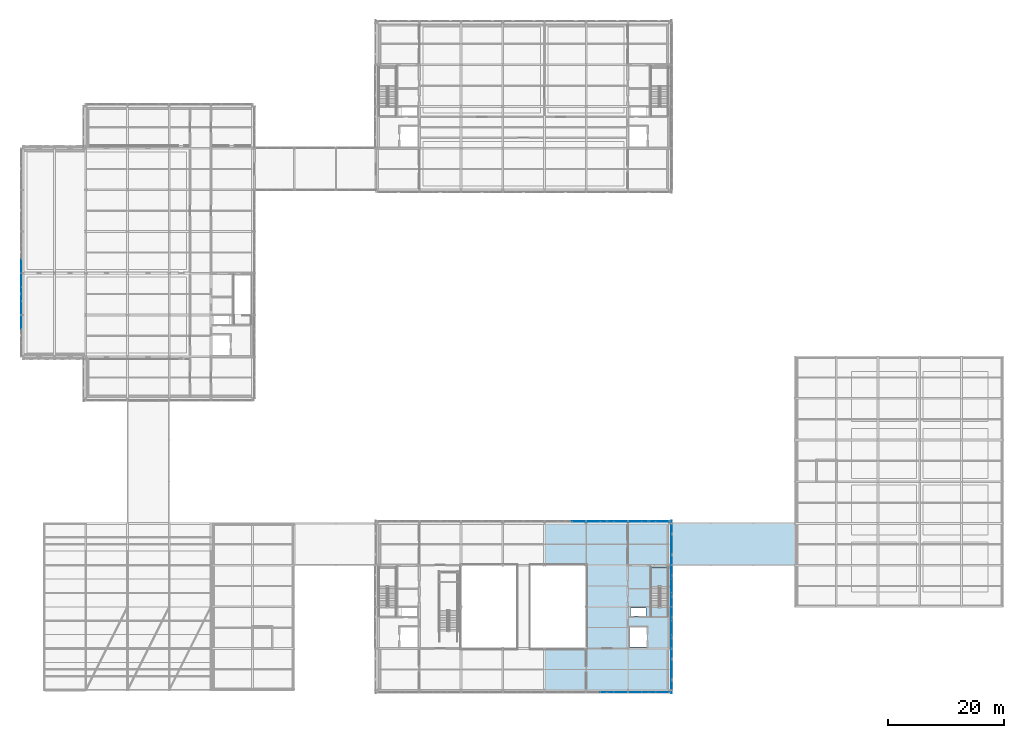
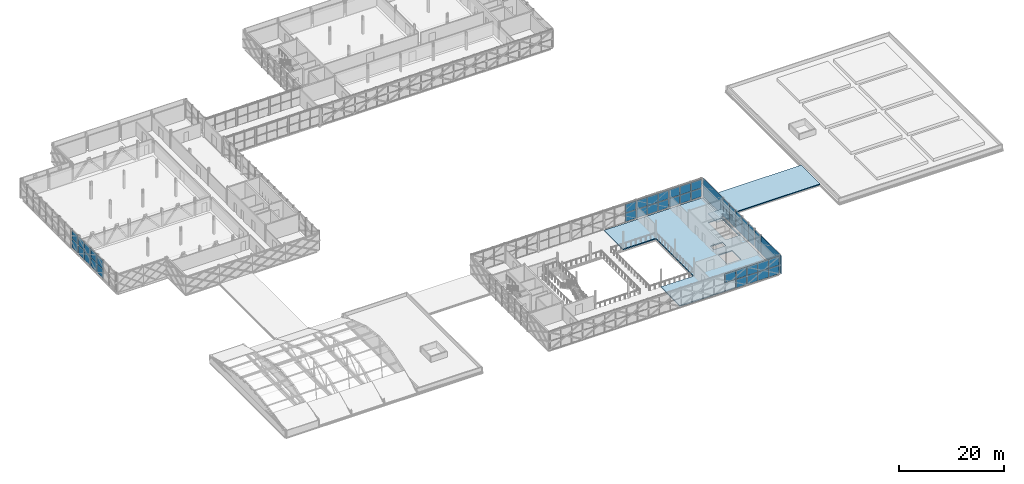
# One storey, part 68 of 103: 47 plates, 3 slabs, 11 elements without a shape of their own.
"""IFC4 building model written with IfcOpenShell, lengths in metres."""

from ifc_helpers import new_model, si_unit, direction, frame, origin, origin_2d, place, context, subcontext, project, spatial, polyline, rectangle, outline, extrude, material, layer, layer_set, type_object, element, aggregate, save


model = new_model("IFC4")

# Units and contexts
model_context = context("Model", 3, precision=1e-05, world=origin(), true_north=direction((0.0, 1.0)))
body_context = subcontext(model_context, "Body", "Model", "MODEL_VIEW")
ifc_project = project(units=[si_unit("LENGTHUNIT", "METRE"), si_unit("AREAUNIT", "SQUARE_METRE"), si_unit("VOLUMEUNIT", "CUBIC_METRE"), si_unit("PLANEANGLEUNIT", "RADIAN"), si_unit("MASSUNIT", "GRAM", prefix="KILO")], contexts=[model_context])

# Site, building, storey
site_placement = place(None, origin())
site = spatial("IfcSite", under=ifc_project, at=site_placement, CompositionType="ELEMENT")
building_placement = place(site_placement, origin())
building = spatial("IfcBuilding", under=site, at=building_placement, Name="Zlatovets Crest Museum", CompositionType="ELEMENT")
storey_placement = place(building_placement, frame((0.0, 0.0, 12.89990234375)))
storey = spatial("IfcBuildingStorey", under=building, at=storey_placement, Name="L03", CompositionType="ELEMENT", Elevation=12.89990234375)

# Curtain wall, plates
ifc_material_1 = material(Name="Bronze-anodised aluminium and low-E triple glass", Category="aluminium")
curtain_wall_type_1 = type_object("IfcCurtainWallType", Name="CW_CW-V2-L03-M0", PredefinedType="NOTDEFINED", material=ifc_material_1)
curtain_wall_1_placement = place(storey_placement, origin())
curtain_wall_1 = element("IfcCurtainWall", 1, at=curtain_wall_1_placement, inside=storey, type_object=curtain_wall_type_1, Name="V2 L03 Expressed Core Glazed Facade", PredefinedType="NOTDEFINED")
ifc_material_2 = material(Name="Solar-control low-E laminated triple glass", Category="glass")
ifc_layer_1 = layer(ifc_material_2, 0.028076171875)
ifc_layer_set_1 = layer_set([ifc_layer_1], Name="Solar-control low-E laminated triple glass")
plate_type_1 = type_object("IfcPlateType", Name="CWPanel_CW-V2-L03-M0", PredefinedType="CURTAIN_PANEL", material=ifc_layer_set_1)
plate_1_placement = place(storey_placement, frame((108.340087890625, 8.4150390625, 0.06005859375), z_axis=(0.0, 0.0, 1.0), x_axis=(0.0, 1.0, 0.0)))
plate_1 = element("IfcPlate", 2, at=plate_1_placement, type_object=plate_type_1, Name="CW-V2-L03-M0 panel 1.1", PredefinedType="CURTAIN_PANEL", context=body_context, shape_type="SweptSolid", body=[
    extrude(rectangle(XDim=2.31005859375, YDim=0.030029296875, at=origin_2d()), origin(), (0.0, 0.0, 1.0), 2.010009765625),
])
plate_2_placement = place(storey_placement, frame((108.340087890625, 8.4150390625, 2.1298828125), z_axis=(0.0, 0.0, 1.0), x_axis=(0.0, 1.0, 0.0)))
plate_2 = element("IfcPlate", 3, at=plate_2_placement, type_object=plate_type_1, Name="CW-V2-L03-M0 panel 1.2", PredefinedType="CURTAIN_PANEL", context=body_context, shape_type="SweptSolid", body=[
    extrude(rectangle(XDim=2.31005859375, YDim=0.030029296875, at=origin_2d()), origin(), (0.0, 0.0, 1.0), 2.010009765625),
])
plate_3_placement = place(storey_placement, frame((108.340087890625, 10.800048828125, 0.06005859375), z_axis=(0.0, 0.0, 1.0), x_axis=(0.0, 1.0, 0.0)))
plate_3 = element("IfcPlate", 4, at=plate_3_placement, type_object=plate_type_1, Name="CW-V2-L03-M0 panel 2.1", PredefinedType="CURTAIN_PANEL", context=body_context, shape_type="SweptSolid", body=[
    extrude(rectangle(XDim=2.340087890625, YDim=0.030029296875, at=origin_2d()), origin(), (0.0, 0.0, 1.0), 2.010009765625),
])
plate_4_placement = place(storey_placement, frame((108.340087890625, 10.800048828125, 2.1298828125), z_axis=(0.0, 0.0, 1.0), x_axis=(0.0, 1.0, 0.0)))
plate_4 = element("IfcPlate", 5, at=plate_4_placement, type_object=plate_type_1, Name="CW-V2-L03-M0 panel 2.2", PredefinedType="CURTAIN_PANEL", context=body_context, shape_type="SweptSolid", body=[
    extrude(rectangle(XDim=2.340087890625, YDim=0.030029296875, at=origin_2d()), origin(), (0.0, 0.0, 1.0), 2.010009765625),
])
plate_5_placement = place(storey_placement, frame((108.340087890625, 13.18505859375, 0.06005859375), z_axis=(0.0, 0.0, 1.0), x_axis=(0.0, 1.0, 0.0)))
plate_5 = element("IfcPlate", 6, at=plate_5_placement, type_object=plate_type_1, Name="CW-V2-L03-M0 panel 3.1", PredefinedType="CURTAIN_PANEL", context=body_context, shape_type="SweptSolid", body=[
    extrude(rectangle(XDim=2.31005859375, YDim=0.030029296875, at=origin_2d()), origin(), (0.0, 0.0, 1.0), 2.010009765625),
])
plate_6_placement = place(storey_placement, frame((108.340087890625, 13.18505859375, 2.1298828125), z_axis=(0.0, 0.0, 1.0), x_axis=(0.0, 1.0, 0.0)))
plate_6 = element("IfcPlate", 7, at=plate_6_placement, type_object=plate_type_1, Name="CW-V2-L03-M0 panel 3.2", PredefinedType="CURTAIN_PANEL", context=body_context, shape_type="SweptSolid", body=[
    extrude(rectangle(XDim=2.31005859375, YDim=0.030029296875, at=origin_2d()), origin(), (0.0, 0.0, 1.0), 2.010009765625),
])
aggregate(curtain_wall_1, [plate_1, plate_2, plate_3, plate_4, plate_5, plate_6])

curtain_wall_2_placement = place(storey_placement, origin())
curtain_wall_2 = element("IfcCurtainWall", 8, at=curtain_wall_2_placement, inside=storey, type_object=curtain_wall_type_1, Name="V2 L03 Secession Foyer Clear Curtain Wall", PredefinedType="NOTDEFINED")
plate_7_placement = place(storey_placement, frame((99.5849609375, 29.139892578125, 0.06005859375), z_axis=(0.0, 0.0, 1.0), x_axis=(-1.0, 0.0, 0.0)))
plate_7 = element("IfcPlate", 9, at=plate_7_placement, type_object=plate_type_1, Name="CW-V2-L03-M0 panel 1.1", PredefinedType="CURTAIN_PANEL", context=body_context, shape_type="SweptSolid", body=[
    extrude(rectangle(XDim=2.31005859375, YDim=0.028076171875, at=origin_2d()), origin(), (0.0, 0.0, 1.0), 2.010009765625),
])
plate_8_placement = place(storey_placement, frame((99.5849609375, 29.139892578125, 2.1298828125), z_axis=(0.0, 0.0, 1.0), x_axis=(-1.0, 0.0, 0.0)))
plate_8 = element("IfcPlate", 10, at=plate_8_placement, type_object=plate_type_1, Name="CW-V2-L03-M0 panel 1.2", PredefinedType="CURTAIN_PANEL", context=body_context, shape_type="SweptSolid", body=[
    extrude(rectangle(XDim=2.31005859375, YDim=0.028076171875, at=origin_2d()), origin(), (0.0, 0.0, 1.0), 2.010009765625),
])
plate_9_placement = place(storey_placement, frame((97.199951171875, 29.139892578125, 0.06005859375), z_axis=(0.0, 0.0, 1.0), x_axis=(-1.0, 0.0, 0.0)))
plate_9 = element("IfcPlate", 11, at=plate_9_placement, type_object=plate_type_1, Name="CW-V2-L03-M0 panel 2.1", PredefinedType="CURTAIN_PANEL", context=body_context, shape_type="SweptSolid", body=[
    extrude(rectangle(XDim=2.340087890625, YDim=0.028076171875, at=origin_2d()), origin(), (0.0, 0.0, 1.0), 2.010009765625),
])
plate_10_placement = place(storey_placement, frame((97.199951171875, 29.139892578125, 2.1298828125), z_axis=(0.0, 0.0, 1.0), x_axis=(-1.0, 0.0, 0.0)))
plate_10 = element("IfcPlate", 12, at=plate_10_placement, type_object=plate_type_1, Name="CW-V2-L03-M0 panel 2.2", PredefinedType="CURTAIN_PANEL", context=body_context, shape_type="SweptSolid", body=[
    extrude(rectangle(XDim=2.340087890625, YDim=0.028076171875, at=origin_2d()), origin(), (0.0, 0.0, 1.0), 2.010009765625),
])
plate_11_placement = place(storey_placement, frame((94.81494140625, 29.139892578125, 0.06005859375), z_axis=(0.0, 0.0, 1.0), x_axis=(-1.0, 0.0, 0.0)))
plate_11 = element("IfcPlate", 13, at=plate_11_placement, type_object=plate_type_1, Name="CW-V2-L03-M0 panel 3.1", PredefinedType="CURTAIN_PANEL", context=body_context, shape_type="SweptSolid", body=[
    extrude(rectangle(XDim=2.31005859375, YDim=0.028076171875, at=origin_2d()), origin(), (0.0, 0.0, 1.0), 2.010009765625),
])
plate_12_placement = place(storey_placement, frame((94.81494140625, 29.139892578125, 2.1298828125), z_axis=(0.0, 0.0, 1.0), x_axis=(-1.0, 0.0, 0.0)))
plate_12 = element("IfcPlate", 14, at=plate_12_placement, type_object=plate_type_1, Name="CW-V2-L03-M0 panel 3.2", PredefinedType="CURTAIN_PANEL", context=body_context, shape_type="SweptSolid", body=[
    extrude(rectangle(XDim=2.31005859375, YDim=0.028076171875, at=origin_2d()), origin(), (0.0, 0.0, 1.0), 2.010009765625),
])
aggregate(curtain_wall_2, [plate_7, plate_8, plate_9, plate_10, plate_11, plate_12])

curtain_wall_type_2 = type_object("IfcCurtainWallType", Name="CW_CW-V2-L03-M1", PredefinedType="NOTDEFINED", material=ifc_material_1)
curtain_wall_3_placement = place(storey_placement, origin())
curtain_wall_3 = element("IfcCurtainWall", 15, at=curtain_wall_3_placement, inside=storey, type_object=curtain_wall_type_2, Name="V2 L03 Secession Foyer Clear Curtain Wall", PredefinedType="NOTDEFINED")
ifc_layer_2 = layer(ifc_material_2, 0.031982421875)
ifc_layer_set_2 = layer_set([ifc_layer_2], Name="Solar-control low-E laminated triple glass")
plate_type_2 = type_object("IfcPlateType", Name="CWPanel_CW-V2-L03-M1", PredefinedType="CURTAIN_PANEL", material=ifc_layer_set_2)
plate_13_placement = place(storey_placement, frame((97.199951171875, -0.340087890625, 2.1298828125), z_axis=(0.0, 0.0, 1.0), x_axis=(1.0, 0.0, 0.0)))
plate_13 = element("IfcPlate", 16, at=plate_13_placement, type_object=plate_type_2, Name="CW-V2-L03-M1 panel 2.2", PredefinedType="CURTAIN_PANEL", context=body_context, shape_type="SweptSolid", body=[
    extrude(rectangle(XDim=2.340087890625, YDim=0.031982421875, at=origin_2d()), origin(), (0.0, 0.0, 1.0), 2.010009765625),
])
plate_14_placement = place(storey_placement, frame((99.5849609375, -0.340087890625, 0.06005859375), z_axis=(0.0, 0.0, 1.0), x_axis=(1.0, 0.0, 0.0)))
plate_14 = element("IfcPlate", 17, at=plate_14_placement, type_object=plate_type_2, Name="CW-V2-L03-M1 panel 3.1", PredefinedType="CURTAIN_PANEL", context=body_context, shape_type="SweptSolid", body=[
    extrude(rectangle(XDim=2.31005859375, YDim=0.031982421875, at=origin_2d()), origin(), (0.0, 0.0, 1.0), 2.010009765625),
])
plate_15_placement = place(storey_placement, frame((99.5849609375, -0.340087890625, 2.1298828125), z_axis=(0.0, 0.0, 1.0), x_axis=(1.0, 0.0, 0.0)))
plate_15 = element("IfcPlate", 18, at=plate_15_placement, type_object=plate_type_2, Name="CW-V2-L03-M1 panel 3.2", PredefinedType="CURTAIN_PANEL", context=body_context, shape_type="SweptSolid", body=[
    extrude(rectangle(XDim=2.31005859375, YDim=0.031982421875, at=origin_2d()), origin(), (0.0, 0.0, 1.0), 2.010009765625),
])
aggregate(curtain_wall_3, [plate_13, plate_14, plate_15])

curtain_wall_4_placement = place(storey_placement, origin())
curtain_wall_4 = element("IfcCurtainWall", 19, at=curtain_wall_4_placement, inside=storey, type_object=curtain_wall_type_2, Name="V2 L03 Expressed Core Glazed Facade", PredefinedType="NOTDEFINED")
plate_16_placement = place(storey_placement, frame((108.340087890625, 15.614990234375, 0.06005859375), z_axis=(0.0, 0.0, 1.0), x_axis=(0.0, 1.0, 0.0)))
plate_16 = element("IfcPlate", 20, at=plate_16_placement, type_object=plate_type_2, Name="CW-V2-L03-M1 panel 1.1", PredefinedType="CURTAIN_PANEL", context=body_context, shape_type="SweptSolid", body=[
    extrude(rectangle(XDim=2.31005859375, YDim=0.030029296875, at=origin_2d()), origin(), (0.0, 0.0, 1.0), 2.010009765625),
])
plate_17_placement = place(storey_placement, frame((108.340087890625, 15.614990234375, 2.1298828125), z_axis=(0.0, 0.0, 1.0), x_axis=(0.0, 1.0, 0.0)))
plate_17 = element("IfcPlate", 21, at=plate_17_placement, type_object=plate_type_2, Name="CW-V2-L03-M1 panel 1.2", PredefinedType="CURTAIN_PANEL", context=body_context, shape_type="SweptSolid", body=[
    extrude(rectangle(XDim=2.31005859375, YDim=0.030029296875, at=origin_2d()), origin(), (0.0, 0.0, 1.0), 2.010009765625),
])
plate_18_placement = place(storey_placement, frame((108.340087890625, 18.0, 0.06005859375), z_axis=(0.0, 0.0, 1.0), x_axis=(0.0, 1.0, 0.0)))
plate_18 = element("IfcPlate", 22, at=plate_18_placement, type_object=plate_type_2, Name="CW-V2-L03-M1 panel 2.1", PredefinedType="CURTAIN_PANEL", context=body_context, shape_type="SweptSolid", body=[
    extrude(rectangle(XDim=2.340087890625, YDim=0.030029296875, at=origin_2d()), origin(), (0.0, 0.0, 1.0), 2.010009765625),
])
plate_19_placement = place(storey_placement, frame((108.340087890625, 18.0, 2.1298828125), z_axis=(0.0, 0.0, 1.0), x_axis=(0.0, 1.0, 0.0)))
plate_19 = element("IfcPlate", 23, at=plate_19_placement, type_object=plate_type_2, Name="CW-V2-L03-M1 panel 2.2", PredefinedType="CURTAIN_PANEL", context=body_context, shape_type="SweptSolid", body=[
    extrude(rectangle(XDim=2.340087890625, YDim=0.030029296875, at=origin_2d()), origin(), (0.0, 0.0, 1.0), 2.010009765625),
])
plate_20_placement = place(storey_placement, frame((108.340087890625, 20.385009765625, 0.06005859375), z_axis=(0.0, 0.0, 1.0), x_axis=(0.0, 1.0, 0.0)))
plate_20 = element("IfcPlate", 24, at=plate_20_placement, type_object=plate_type_2, Name="CW-V2-L03-M1 panel 3.1", PredefinedType="CURTAIN_PANEL", context=body_context, shape_type="SweptSolid", body=[
    extrude(rectangle(XDim=2.31005859375, YDim=0.030029296875, at=origin_2d()), origin(), (0.0, 0.0, 1.0), 2.010009765625),
])
plate_21_placement = place(storey_placement, frame((108.340087890625, 20.385009765625, 2.1298828125), z_axis=(0.0, 0.0, 1.0), x_axis=(0.0, 1.0, 0.0)))
plate_21 = element("IfcPlate", 25, at=plate_21_placement, type_object=plate_type_2, Name="CW-V2-L03-M1 panel 3.2", PredefinedType="CURTAIN_PANEL", context=body_context, shape_type="SweptSolid", body=[
    extrude(rectangle(XDim=2.31005859375, YDim=0.030029296875, at=origin_2d()), origin(), (0.0, 0.0, 1.0), 2.010009765625),
])
aggregate(curtain_wall_4, [plate_16, plate_17, plate_18, plate_19, plate_20, plate_21])

curtain_wall_5_placement = place(storey_placement, origin())
curtain_wall_5 = element("IfcCurtainWall", 26, at=curtain_wall_5_placement, inside=storey, type_object=curtain_wall_type_2, Name="V2 L03 Secession Foyer Clear Curtain Wall", PredefinedType="NOTDEFINED")
plate_22_placement = place(storey_placement, frame((92.385009765625, 29.139892578125, 0.06005859375), z_axis=(0.0, 0.0, 1.0), x_axis=(-1.0, 0.0, 0.0)))
plate_22 = element("IfcPlate", 27, at=plate_22_placement, type_object=plate_type_2, Name="CW-V2-L03-M1 panel 1.1", PredefinedType="CURTAIN_PANEL", context=body_context, shape_type="SweptSolid", body=[
    extrude(rectangle(XDim=2.31005859375, YDim=0.031982421875, at=origin_2d()), origin(), (0.0, 0.0, 1.0), 2.010009765625),
])
plate_23_placement = place(storey_placement, frame((92.385009765625, 29.139892578125, 2.1298828125), z_axis=(0.0, 0.0, 1.0), x_axis=(-1.0, 0.0, 0.0)))
plate_23 = element("IfcPlate", 28, at=plate_23_placement, type_object=plate_type_2, Name="CW-V2-L03-M1 panel 1.2", PredefinedType="CURTAIN_PANEL", context=body_context, shape_type="SweptSolid", body=[
    extrude(rectangle(XDim=2.31005859375, YDim=0.031982421875, at=origin_2d()), origin(), (0.0, 0.0, 1.0), 2.010009765625),
])
aggregate(curtain_wall_5, [plate_22, plate_23])

curtain_wall_type_3 = type_object("IfcCurtainWallType", Name="CW_CW-V2-L03-M2", PredefinedType="NOTDEFINED", material=ifc_material_1)
curtain_wall_6_placement = place(storey_placement, origin())
curtain_wall_6 = element("IfcCurtainWall", 29, at=curtain_wall_6_placement, inside=storey, type_object=curtain_wall_type_3, Name="V2 L03 Secession Foyer Clear Curtain Wall", PredefinedType="NOTDEFINED")
ifc_layer_3 = layer(ifc_material_2, 0.035888671875)
ifc_layer_set_3 = layer_set([ifc_layer_3], Name="Solar-control low-E laminated triple glass")
plate_type_3 = type_object("IfcPlateType", Name="CWPanel_CW-V2-L03-M2", PredefinedType="CURTAIN_PANEL", material=ifc_layer_set_3)
plate_24_placement = place(storey_placement, frame((102.014892578125, -0.340087890625, 0.06005859375), z_axis=(0.0, 0.0, 1.0), x_axis=(1.0, 0.0, 0.0)))
plate_24 = element("IfcPlate", 30, at=plate_24_placement, type_object=plate_type_3, Name="CW-V2-L03-M2 panel 1.1", PredefinedType="CURTAIN_PANEL", context=body_context, shape_type="SweptSolid", body=[
    extrude(rectangle(XDim=2.31005859375, YDim=0.035888671875, at=origin_2d()), origin(), (0.0, 0.0, 1.0), 2.010009765625),
])
plate_25_placement = place(storey_placement, frame((102.014892578125, -0.340087890625, 2.1298828125), z_axis=(0.0, 0.0, 1.0), x_axis=(1.0, 0.0, 0.0)))
plate_25 = element("IfcPlate", 31, at=plate_25_placement, type_object=plate_type_3, Name="CW-V2-L03-M2 panel 1.2", PredefinedType="CURTAIN_PANEL", context=body_context, shape_type="SweptSolid", body=[
    extrude(rectangle(XDim=2.31005859375, YDim=0.035888671875, at=origin_2d()), origin(), (0.0, 0.0, 1.0), 2.010009765625),
])
plate_26_placement = place(storey_placement, frame((104.39990234375, -0.340087890625, 0.06005859375), z_axis=(0.0, 0.0, 1.0), x_axis=(1.0, 0.0, 0.0)))
plate_26 = element("IfcPlate", 32, at=plate_26_placement, type_object=plate_type_3, Name="CW-V2-L03-M2 panel 2.1", PredefinedType="CURTAIN_PANEL", context=body_context, shape_type="SweptSolid", body=[
    extrude(rectangle(XDim=2.340087890625, YDim=0.035888671875, at=origin_2d()), origin(), (0.0, 0.0, 1.0), 2.010009765625),
])
plate_27_placement = place(storey_placement, frame((104.39990234375, -0.340087890625, 2.1298828125), z_axis=(0.0, 0.0, 1.0), x_axis=(1.0, 0.0, 0.0)))
plate_27 = element("IfcPlate", 33, at=plate_27_placement, type_object=plate_type_3, Name="CW-V2-L03-M2 panel 2.2", PredefinedType="CURTAIN_PANEL", context=body_context, shape_type="SweptSolid", body=[
    extrude(rectangle(XDim=2.340087890625, YDim=0.035888671875, at=origin_2d()), origin(), (0.0, 0.0, 1.0), 2.010009765625),
])
plate_28_placement = place(storey_placement, frame((106.784912109375, -0.340087890625, 0.06005859375), z_axis=(0.0, 0.0, 1.0), x_axis=(1.0, 0.0, 0.0)))
plate_28 = element("IfcPlate", 34, at=plate_28_placement, type_object=plate_type_3, Name="CW-V2-L03-M2 panel 3.1", PredefinedType="CURTAIN_PANEL", context=body_context, shape_type="SweptSolid", body=[
    extrude(rectangle(XDim=2.31005859375, YDim=0.035888671875, at=origin_2d()), origin(), (0.0, 0.0, 1.0), 2.010009765625),
])
plate_29_placement = place(storey_placement, frame((106.784912109375, -0.340087890625, 2.1298828125), z_axis=(0.0, 0.0, 1.0), x_axis=(1.0, 0.0, 0.0)))
plate_29 = element("IfcPlate", 35, at=plate_29_placement, type_object=plate_type_3, Name="CW-V2-L03-M2 panel 3.2", PredefinedType="CURTAIN_PANEL", context=body_context, shape_type="SweptSolid", body=[
    extrude(rectangle(XDim=2.31005859375, YDim=0.035888671875, at=origin_2d()), origin(), (0.0, 0.0, 1.0), 2.010009765625),
])
aggregate(curtain_wall_6, [plate_24, plate_25, plate_26, plate_27, plate_28, plate_29])

curtain_wall_type_4 = type_object("IfcCurtainWallType", Name="CW_CW-V2-L03-M3", PredefinedType="NOTDEFINED", material=ifc_material_1)
curtain_wall_7_placement = place(storey_placement, origin())
curtain_wall_7 = element("IfcCurtainWall", 36, at=curtain_wall_7_placement, inside=storey, type_object=curtain_wall_type_4, Name="V2 L03 Secession Foyer Clear Curtain Wall", PredefinedType="NOTDEFINED")
ifc_layer_4 = layer(ifc_material_2, 0.0400390625)
ifc_layer_set_4 = layer_set([ifc_layer_4], Name="Solar-control low-E laminated triple glass")
plate_type_4 = type_object("IfcPlateType", Name="CWPanel_CW-V2-L03-M3", PredefinedType="CURTAIN_PANEL", material=ifc_layer_set_4)
plate_30_placement = place(storey_placement, frame((106.784912109375, 29.139892578125, 0.06005859375), z_axis=(0.0, 0.0, 1.0), x_axis=(-1.0, 0.0, 0.0)))
plate_30 = element("IfcPlate", 37, at=plate_30_placement, type_object=plate_type_4, Name="CW-V2-L03-M3 panel 1.1", PredefinedType="CURTAIN_PANEL", context=body_context, shape_type="SweptSolid", body=[
    extrude(rectangle(XDim=2.31005859375, YDim=0.0400390625, at=origin_2d()), origin(), (0.0, 0.0, 1.0), 2.010009765625),
])
plate_31_placement = place(storey_placement, frame((106.784912109375, 29.139892578125, 2.1298828125), z_axis=(0.0, 0.0, 1.0), x_axis=(-1.0, 0.0, 0.0)))
plate_31 = element("IfcPlate", 38, at=plate_31_placement, type_object=plate_type_4, Name="CW-V2-L03-M3 panel 1.2", PredefinedType="CURTAIN_PANEL", context=body_context, shape_type="SweptSolid", body=[
    extrude(rectangle(XDim=2.31005859375, YDim=0.0400390625, at=origin_2d()), origin(), (0.0, 0.0, 1.0), 2.010009765625),
])
plate_32_placement = place(storey_placement, frame((104.39990234375, 29.139892578125, 0.06005859375), z_axis=(0.0, 0.0, 1.0), x_axis=(-1.0, 0.0, 0.0)))
plate_32 = element("IfcPlate", 39, at=plate_32_placement, type_object=plate_type_4, Name="CW-V2-L03-M3 panel 2.1", PredefinedType="CURTAIN_PANEL", context=body_context, shape_type="SweptSolid", body=[
    extrude(rectangle(XDim=2.340087890625, YDim=0.0400390625, at=origin_2d()), origin(), (0.0, 0.0, 1.0), 2.010009765625),
])
plate_33_placement = place(storey_placement, frame((104.39990234375, 29.139892578125, 2.1298828125), z_axis=(0.0, 0.0, 1.0), x_axis=(-1.0, 0.0, 0.0)))
plate_33 = element("IfcPlate", 40, at=plate_33_placement, type_object=plate_type_4, Name="CW-V2-L03-M3 panel 2.2", PredefinedType="CURTAIN_PANEL", context=body_context, shape_type="SweptSolid", body=[
    extrude(rectangle(XDim=2.340087890625, YDim=0.0400390625, at=origin_2d()), origin(), (0.0, 0.0, 1.0), 2.010009765625),
])
plate_34_placement = place(storey_placement, frame((102.014892578125, 29.139892578125, 0.06005859375), z_axis=(0.0, 0.0, 1.0), x_axis=(-1.0, 0.0, 0.0)))
plate_34 = element("IfcPlate", 41, at=plate_34_placement, type_object=plate_type_4, Name="CW-V2-L03-M3 panel 3.1", PredefinedType="CURTAIN_PANEL", context=body_context, shape_type="SweptSolid", body=[
    extrude(rectangle(XDim=2.31005859375, YDim=0.0400390625, at=origin_2d()), origin(), (0.0, 0.0, 1.0), 2.010009765625),
])
plate_35_placement = place(storey_placement, frame((102.014892578125, 29.139892578125, 2.1298828125), z_axis=(0.0, 0.0, 1.0), x_axis=(-1.0, 0.0, 0.0)))
plate_35 = element("IfcPlate", 42, at=plate_35_placement, type_object=plate_type_4, Name="CW-V2-L03-M3 panel 3.2", PredefinedType="CURTAIN_PANEL", context=body_context, shape_type="SweptSolid", body=[
    extrude(rectangle(XDim=2.31005859375, YDim=0.0400390625, at=origin_2d()), origin(), (0.0, 0.0, 1.0), 2.010009765625),
])
aggregate(curtain_wall_7, [plate_30, plate_31, plate_32, plate_33, plate_34, plate_35])

curtain_wall_type_5 = type_object("IfcCurtainWallType", Name="CW_CW-V4-L03-M0", PredefinedType="NOTDEFINED", material=ifc_material_1)
curtain_wall_8_placement = place(storey_placement, origin())
curtain_wall_8 = element("IfcCurtainWall", 43, at=curtain_wall_8_placement, inside=storey, type_object=curtain_wall_type_5, Name="V4 L03 Secession Foyer Clear Curtain Wall", PredefinedType="NOTDEFINED")
ifc_layer_5 = layer(ifc_material_2, 0.028076171875)
ifc_layer_set_5 = layer_set([ifc_layer_5], Name="Solar-control low-E laminated triple glass")
plate_type_5 = type_object("IfcPlateType", Name="CWPanel_CW-V4-L03-M0", PredefinedType="CURTAIN_PANEL", material=ifc_layer_set_5)
plate_36_placement = place(storey_placement, frame((-3.93994140625, 73.215087890625, 0.06005859375), z_axis=(0.0, 0.0, 1.0), x_axis=(0.0, -1.0, 0.0)))
plate_36 = element("IfcPlate", 44, at=plate_36_placement, type_object=plate_type_5, Name="CW-V4-L03-M0 panel 3.1", PredefinedType="CURTAIN_PANEL", context=body_context, shape_type="SweptSolid", body=[
    extrude(rectangle(XDim=2.31005859375, YDim=0.028076171875, at=origin_2d()), origin(), (0.0, 0.0, 1.0), 2.010009765625),
])
plate_37_placement = place(storey_placement, frame((-3.93994140625, 73.215087890625, 2.1298828125), z_axis=(0.0, 0.0, 1.0), x_axis=(0.0, -1.0, 0.0)))
plate_37 = element("IfcPlate", 45, at=plate_37_placement, type_object=plate_type_5, Name="CW-V4-L03-M0 panel 3.2", PredefinedType="CURTAIN_PANEL", context=body_context, shape_type="SweptSolid", body=[
    extrude(rectangle(XDim=2.31005859375, YDim=0.028076171875, at=origin_2d()), origin(), (0.0, 0.0, 1.0), 2.010009765625),
])
aggregate(curtain_wall_8, [plate_36, plate_37])

curtain_wall_type_6 = type_object("IfcCurtainWallType", Name="CW_CW-V4-L03-M1", PredefinedType="NOTDEFINED", material=ifc_material_1)
curtain_wall_9_placement = place(storey_placement, origin())
curtain_wall_9 = element("IfcCurtainWall", 46, at=curtain_wall_9_placement, inside=storey, type_object=curtain_wall_type_6, Name="V4 L03 Secession Foyer Clear Curtain Wall", PredefinedType="NOTDEFINED")
ifc_layer_6 = layer(ifc_material_2, 0.030029296875)
ifc_layer_set_6 = layer_set([ifc_layer_6], Name="Solar-control low-E laminated triple glass")
plate_type_6 = type_object("IfcPlateType", Name="CWPanel_CW-V4-L03-M1", PredefinedType="CURTAIN_PANEL", material=ifc_layer_set_6)
plate_38_placement = place(storey_placement, frame((-3.93994140625, 70.784912109375, 0.06005859375), z_axis=(0.0, 0.0, 1.0), x_axis=(0.0, -1.0, 0.0)))
plate_38 = element("IfcPlate", 47, at=plate_38_placement, type_object=plate_type_6, Name="CW-V4-L03-M1 panel 1.1", PredefinedType="CURTAIN_PANEL", context=body_context, shape_type="SweptSolid", body=[
    extrude(rectangle(XDim=2.31005859375, YDim=0.031982421875, at=origin_2d()), origin(), (0.0, 0.0, 1.0), 2.010009765625),
])
plate_39_placement = place(storey_placement, frame((-3.93994140625, 70.784912109375, 2.1298828125), z_axis=(0.0, 0.0, 1.0), x_axis=(0.0, -1.0, 0.0)))
plate_39 = element("IfcPlate", 48, at=plate_39_placement, type_object=plate_type_6, Name="CW-V4-L03-M1 panel 1.2", PredefinedType="CURTAIN_PANEL", context=body_context, shape_type="SweptSolid", body=[
    extrude(rectangle(XDim=2.31005859375, YDim=0.031982421875, at=origin_2d()), origin(), (0.0, 0.0, 1.0), 2.010009765625),
])
plate_40_placement = place(storey_placement, frame((-3.93994140625, 68.39990234375, 0.06005859375), z_axis=(0.0, 0.0, 1.0), x_axis=(0.0, -1.0, 0.0)))
plate_40 = element("IfcPlate", 49, at=plate_40_placement, type_object=plate_type_6, Name="CW-V4-L03-M1 panel 2.1", PredefinedType="CURTAIN_PANEL", context=body_context, shape_type="SweptSolid", body=[
    extrude(rectangle(XDim=2.340087890625, YDim=0.031982421875, at=origin_2d()), origin(), (0.0, 0.0, 1.0), 2.010009765625),
])
plate_41_placement = place(storey_placement, frame((-3.93994140625, 68.39990234375, 2.1298828125), z_axis=(0.0, 0.0, 1.0), x_axis=(0.0, -1.0, 0.0)))
plate_41 = element("IfcPlate", 50, at=plate_41_placement, type_object=plate_type_6, Name="CW-V4-L03-M1 panel 2.2", PredefinedType="CURTAIN_PANEL", context=body_context, shape_type="SweptSolid", body=[
    extrude(rectangle(XDim=2.340087890625, YDim=0.031982421875, at=origin_2d()), origin(), (0.0, 0.0, 1.0), 2.010009765625),
])
plate_42_placement = place(storey_placement, frame((-3.93994140625, 66.014892578125, 0.06005859375), z_axis=(0.0, 0.0, 1.0), x_axis=(0.0, -1.0, 0.0)))
plate_42 = element("IfcPlate", 51, at=plate_42_placement, type_object=plate_type_6, Name="CW-V4-L03-M1 panel 3.1", PredefinedType="CURTAIN_PANEL", context=body_context, shape_type="SweptSolid", body=[
    extrude(rectangle(XDim=2.31005859375, YDim=0.031982421875, at=origin_2d()), origin(), (0.0, 0.0, 1.0), 2.010009765625),
])
plate_43_placement = place(storey_placement, frame((-3.93994140625, 66.014892578125, 2.1298828125), z_axis=(0.0, 0.0, 1.0), x_axis=(0.0, -1.0, 0.0)))
plate_43 = element("IfcPlate", 52, at=plate_43_placement, type_object=plate_type_6, Name="CW-V4-L03-M1 panel 3.2", PredefinedType="CURTAIN_PANEL", context=body_context, shape_type="SweptSolid", body=[
    extrude(rectangle(XDim=2.31005859375, YDim=0.031982421875, at=origin_2d()), origin(), (0.0, 0.0, 1.0), 2.010009765625),
])
aggregate(curtain_wall_9, [plate_38, plate_39, plate_40, plate_41, plate_42, plate_43])

curtain_wall_type_7 = type_object("IfcCurtainWallType", Name="CW_CW-V4-L03-M2", PredefinedType="NOTDEFINED", material=ifc_material_1)
curtain_wall_10_placement = place(storey_placement, origin())
curtain_wall_10 = element("IfcCurtainWall", 53, at=curtain_wall_10_placement, inside=storey, type_object=curtain_wall_type_7, Name="V4 L03 Secession Foyer Clear Curtain Wall", PredefinedType="NOTDEFINED")
ifc_layer_7 = layer(ifc_material_2, 0.030029296875)
ifc_layer_set_7 = layer_set([ifc_layer_7], Name="Solar-control low-E laminated triple glass")
plate_type_7 = type_object("IfcPlateType", Name="CWPanel_CW-V4-L03-M2", PredefinedType="CURTAIN_PANEL", material=ifc_layer_set_7)
plate_44_placement = place(storey_placement, frame((-3.93994140625, 63.5849609375, 0.06005859375), z_axis=(0.0, 0.0, 1.0), x_axis=(0.0, -1.0, 0.0)))
plate_44 = element("IfcPlate", 54, at=plate_44_placement, type_object=plate_type_7, Name="CW-V4-L03-M2 panel 1.1", PredefinedType="CURTAIN_PANEL", context=body_context, shape_type="SweptSolid", body=[
    extrude(rectangle(XDim=2.31005859375, YDim=0.035888671875, at=origin_2d()), origin(), (0.0, 0.0, 1.0), 2.010009765625),
])
plate_45_placement = place(storey_placement, frame((-3.93994140625, 63.5849609375, 2.1298828125), z_axis=(0.0, 0.0, 1.0), x_axis=(0.0, -1.0, 0.0)))
plate_45 = element("IfcPlate", 55, at=plate_45_placement, type_object=plate_type_7, Name="CW-V4-L03-M2 panel 1.2", PredefinedType="CURTAIN_PANEL", context=body_context, shape_type="SweptSolid", body=[
    extrude(rectangle(XDim=2.31005859375, YDim=0.035888671875, at=origin_2d()), origin(), (0.0, 0.0, 1.0), 2.010009765625),
])
aggregate(curtain_wall_10, [plate_44, plate_45])

# Plates
ifc_material_3 = material(Name="Ceramic-fritted low-E laminated architectural glass", Category="glass")
ifc_layer_8 = layer(ifc_material_3, 0.031982421875)
ifc_layer_set_8 = layer_set([ifc_layer_8], Name="Ceramic-fritted low-E laminated architectural glass")
plate_type_8 = type_object("IfcPlateType", Name="GlazedSpandrel_GSP1", PredefinedType="USERDEFINED", material=ifc_layer_set_8)
for number, where, z_axis, x_axis, name in (
    (56, (108.340087890625, 3.360107421875, 0.0), (0.0, 0.0, 1.0), (0.0, 1.0, 0.0), "V2 L03 Ceramic-Fritted Gallery Glass Skin"),
    (57, (108.340087890625, 25.43994140625, 0.0), (0.0, 0.0, 1.0), (0.0, 1.0, 0.0), "V2 L03 Ceramic-Fritted Gallery Glass Skin"),
):
    element("IfcPlate", number, at=place(storey_placement, frame(where, z_axis=z_axis, x_axis=x_axis)), inside=storey, type_object=plate_type_8, Name=name, ObjectType="GLAZED_SPANDREL", PredefinedType="USERDEFINED", context=body_context, shape_type="SweptSolid", body=[
        extrude(rectangle(XDim=7.679931640625, YDim=0.031982421875, at=origin_2d()), origin(), (0.0, 0.0, 1.0), 4.199951171875),
    ])

# Slabs
ifc_material_4 = material(Name="Concrete C30/37", Category="concrete")
ifc_layer_9 = layer(ifc_material_4, 0.239990234375)
ifc_layer_set_9 = layer_set([ifc_layer_9], Name="Concrete C30/37")
slab_type_1 = type_object("IfcSlabType", Name="Slab_FS-03", PredefinedType="FLOOR", material=ifc_layer_set_9)
slab_1_placement = place(storey_placement, frame((0.0, 0.0, -0.239990234375)))
element("IfcSlab", 58, at=slab_1_placement, inside=storey, type_object=slab_type_1, Name="V2 L03 Structural Slab Panel 2", PredefinedType="FLOOR", context=body_context, shape_type="SweptSolid", body=[
    extrude(outline(polyline([(108.0, 0.0), (86.39990234375, 0.0), (86.39990234375, 7.199951171875), (93.60009765625, 7.199951171875), (93.60009765625, 21.60009765625), (86.39990234375, 21.60009765625), (86.39990234375, 28.800048828125), (108.0, 28.800048828125), (108.0, 0.0)]), holes=[polyline([(104.800048828125, 21.199951171875), (104.800048828125, 14.5400390625), (107.800048828125, 14.5400390625), (107.800048828125, 21.199951171875), (104.800048828125, 21.199951171875)]), polyline([(101.10009765625, 10.89990234375), (101.10009765625, 7.5), (104.14990234375, 7.5), (104.14990234375, 10.89990234375), (101.10009765625, 10.89990234375)]), polyline([(103.89990234375, 14.199951171875), (101.25, 14.199951171875), (101.25, 12.85009765625), (103.89990234375, 12.85009765625), (103.89990234375, 14.199951171875)])]), origin(), (0.0, 0.0, 1.0), 0.239990234375),
])
ifc_layer_10 = layer(ifc_material_4, 0.219970703125)
ifc_layer_set_10 = layer_set([ifc_layer_10], Name="Concrete C30/37")
slab_type_2 = type_object("IfcSlabType", Name="Slab_RS-03", PredefinedType="ROOF", material=ifc_layer_set_10)
slab_2_placement = place(storey_placement, frame((0.0, 0.0, -0.219970703125)))
element("IfcSlab", 59, at=slab_2_placement, inside=storey, type_object=slab_type_2, Name="Southeast Archive Glazed Link Bridge Glazed Passage Roof Slab", PredefinedType="ROOF", context=body_context, shape_type="SweptSolid", body=[
    extrude(outline(polyline([(129.60009765625, 21.60009765625), (129.60009765625, 28.800048828125), (108.0, 28.800048828125), (108.0, 21.60009765625), (129.60009765625, 21.60009765625)])), origin(), (0.0, 0.0, 1.0), 0.219970703125),
])

# Stair, slab
ifc_material_5 = material(Name="Concrete C35/45", Category="concrete")
stair_type = type_object("IfcStairType", Name="Stair_ST9-26R", PredefinedType="HALF_TURN_STAIR", material=ifc_material_5)
stair_placement = place(storey_placement, origin())
stair = element("IfcStair", 60, at=stair_placement, inside=storey, type_object=stair_type, Name="L03 Core C8 Escape Stair ST9", PredefinedType="HALF_TURN_STAIR")
ifc_layer_11 = layer(ifc_material_5, 0.199951171875)
ifc_layer_set_11 = layer_set([ifc_layer_11], Name="Concrete C35/45")
slab_type_3 = type_object("IfcSlabType", Name="StairLanding_SLD1", PredefinedType="LANDING", material=ifc_layer_set_11)
slab_3_placement = place(storey_placement, frame((0.0, 0.0, 1.900146484375)))
slab_3 = element("IfcSlab", 61, at=slab_3_placement, type_object=slab_type_3, Name="ST9 landing 1", PredefinedType="LANDING", context=body_context, shape_type="SweptSolid", body=[
    extrude(outline(polyline([(107.800048828125, 17.89990234375), (107.800048828125, 21.199951171875), (104.800048828125, 21.199951171875), (104.800048828125, 17.89990234375), (107.800048828125, 17.89990234375)])), origin(), (0.0, 0.0, 1.0), 0.199951171875),
])
aggregate(stair, [slab_3])

save(model, "model.ifc")
